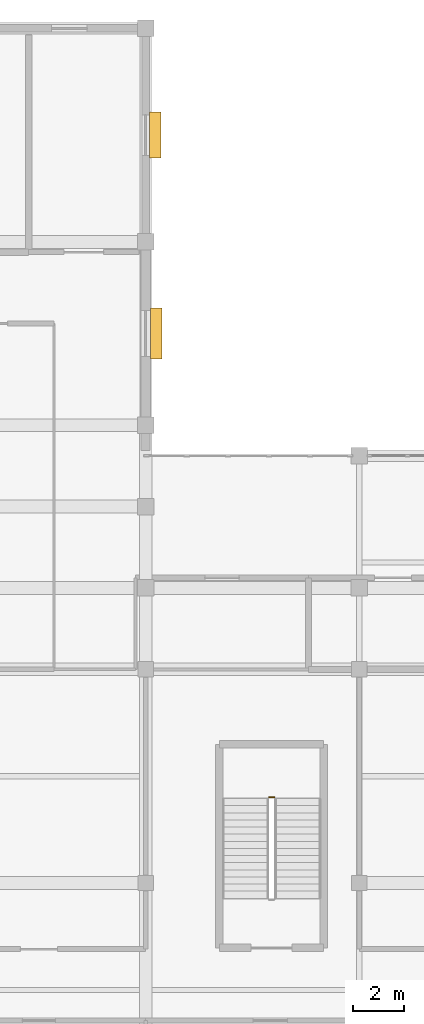
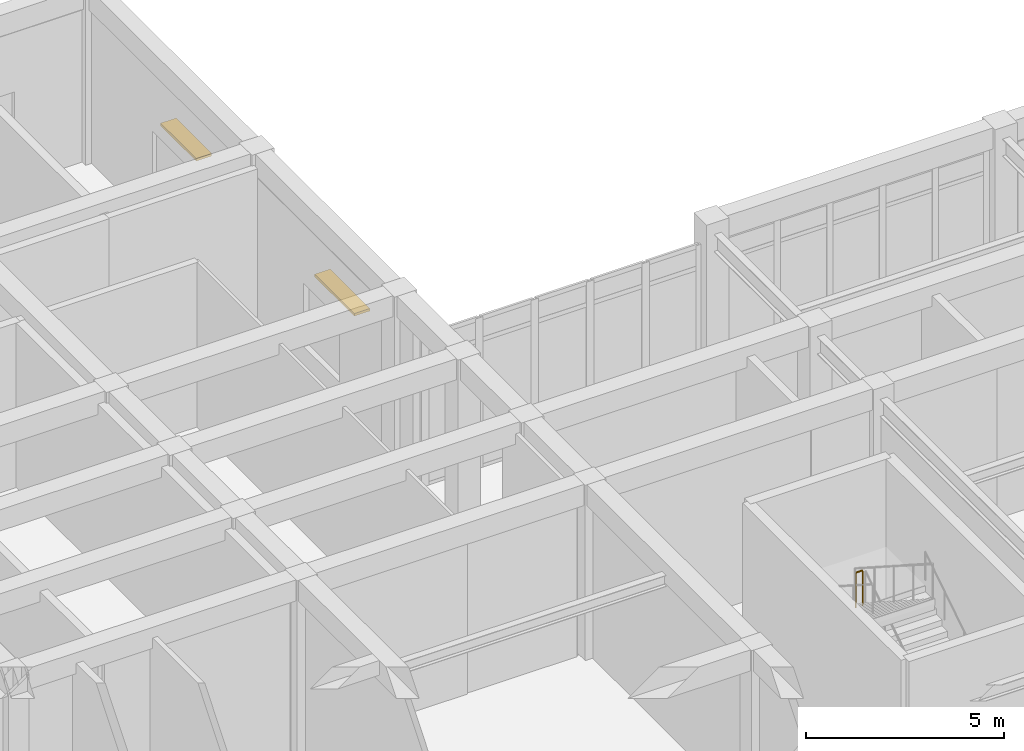
# One storey, part 81 of 89: 2 shading devices, 1 railing.
"""IFC4 building model written with IfcOpenShell, lengths in metres."""

from ifc_helpers import new_model, si_unit, direction, frame, origin, origin_2d, place, context, subcontext, project, spatial, rectangle, circle, extrude, material, layer, layer_set, type_object, element, save


model = new_model("IFC4")

# Units and contexts
model_context = context("Model", 3, precision=1e-05, world=origin(), true_north=direction((0.0, 1.0)))
body_context = subcontext(model_context, "Body", "Model", "MODEL_VIEW")
ifc_project = project(units=[si_unit("LENGTHUNIT", "METRE"), si_unit("AREAUNIT", "SQUARE_METRE"), si_unit("VOLUMEUNIT", "CUBIC_METRE"), si_unit("PLANEANGLEUNIT", "RADIAN"), si_unit("MASSUNIT", "GRAM", prefix="KILO")], contexts=[model_context])

# Site, building, storey
site_placement = place(None, origin())
site = spatial("IfcSite", under=ifc_project, at=site_placement, CompositionType="ELEMENT")
building_placement = place(site_placement, origin())
building = spatial("IfcBuilding", under=site, at=building_placement, Name="Varncliffe General Hospital", CompositionType="ELEMENT")
storey_placement = place(building_placement, frame((0.0, 0.0, 10.800048828125)))
storey = spatial("IfcBuildingStorey", under=building, at=storey_placement, Name="L02", CompositionType="ELEMENT", Elevation=10.800048828125)

# Shading devices
ifc_material_1 = material(Name="Dark bronze extruded aluminium solar jalousie louvres", Category="aluminium")
ifc_layer = layer(ifc_material_1, 0.080078125)
ifc_layer_set = layer_set([ifc_layer], Name="Dark bronze extruded aluminium solar jalousie louvres")
shading_device_type = type_object("IfcShadingDeviceType", Name="Bronze Solar Jalousie Louvre Hood SHD18", PredefinedType="JALOUSIE", material=ifc_layer_set)
shading_device_1_placement = place(storey_placement, frame((67.570068359375, 120.60009765625, 2.85986328125), z_axis=(0.0, 0.0, 1.0), x_axis=(0.0, -1.0, 0.0)))
element("IfcShadingDevice", 1, at=shading_device_1_placement, inside=storey, type_object=shading_device_type, Name="L02 Bronze Window Sun-Shading Louvre 45", PredefinedType="JALOUSIE", context=body_context, shape_type="SweptSolid", body=[
    extrude(rectangle(XDim=1.800048828125, YDim=0.449951171875, at=origin_2d()), origin(), (0.0, 0.0, 1.0), 0.080078125),
])
shading_device_2_placement = place(storey_placement, frame((67.614990234375, 112.800048828125, 2.85986328125), z_axis=(0.0, 0.0, 1.0), x_axis=(0.0, -1.0, 0.0)))
element("IfcShadingDevice", 2, at=shading_device_2_placement, inside=storey, type_object=shading_device_type, Name="L02 Bronze Window Sun-Shading Louvre 46", PredefinedType="JALOUSIE", context=body_context, shape_type="SweptSolid", body=[
    extrude(rectangle(XDim=2.0, YDim=0.449951171875, at=origin_2d()), origin(), (0.0, 0.0, 1.0), 0.080078125),
])

# Railing
ifc_material_2 = material(Name="Powder-coated hospital steel guardrail and handrail", Category="steel")
railing_type = type_object("IfcRailingType", Name="Stairwell Guardrail SG49", PredefinedType="GUARDRAIL", material=ifc_material_2)
railing_placement = place(storey_placement, frame((72.25, 94.570068359375, 2.699951171875)))
element("IfcRailing", 3, at=railing_placement, inside=storey, type_object=railing_type, Name="L02 ST12 stair guard 2", PredefinedType="GUARDRAIL", context=body_context, shape_type="SweptSolid", body=[
    extrude(circle(Radius=0.02392578125, at=origin_2d()), frame((0.0, 0.0, 1.076171875), z_axis=(-1.0, 0.0, 0.0), x_axis=(0.0, -1.0, 0.0)), (0.0, 0.0, 1.0), 0.199951171875),
    extrude(circle(Radius=0.02099609375, at=origin_2d()), origin(), (0.0, 0.0, 1.0), 1.052001953125),
    extrude(circle(Radius=0.02099609375, at=origin_2d()), frame((-0.199951171875, 0.0, 0.0)), (0.0, 0.0, 1.0), 1.052001953125),
])

save(model, "model.ifc")
